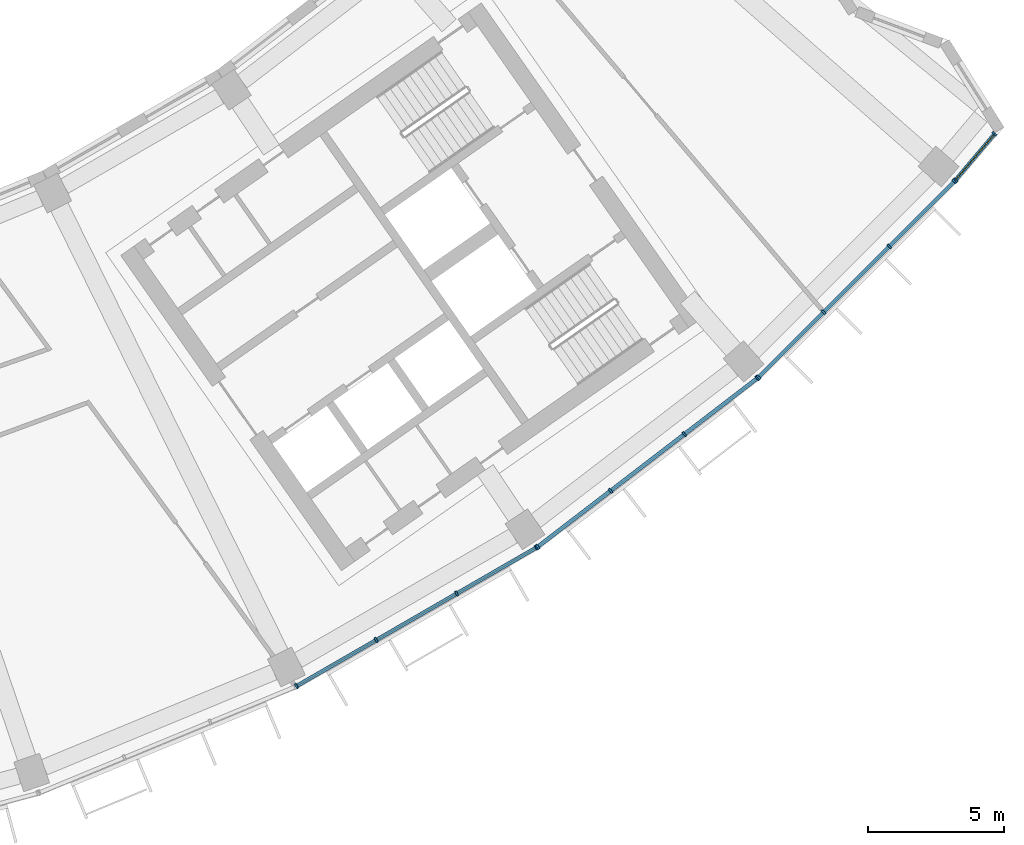
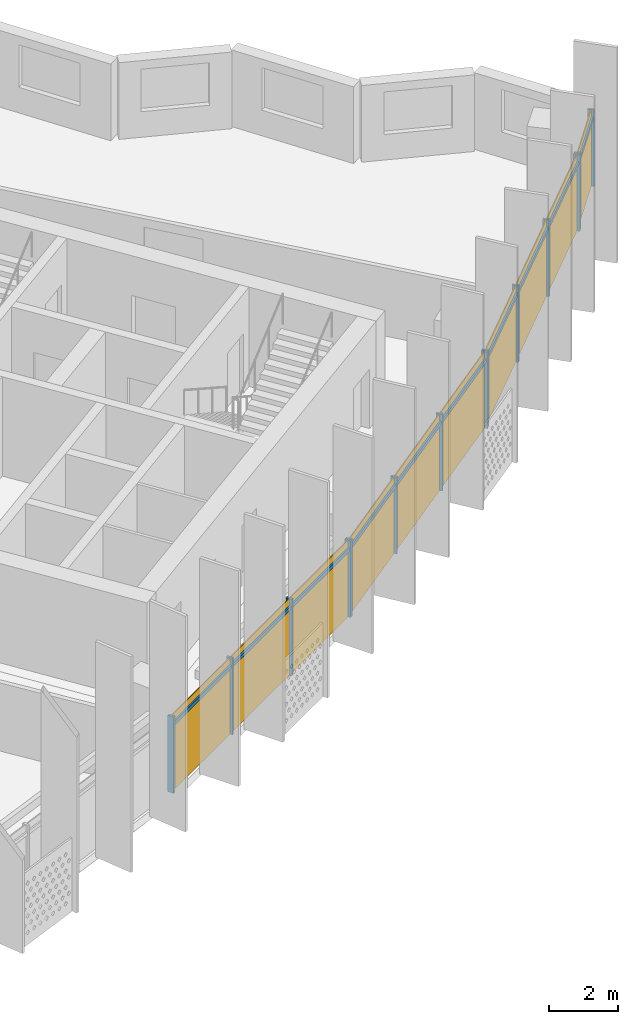
# One storey, part 21 of 28: 24 members, 4 curtain walls.
"""IFC4 building model written with IfcOpenShell, lengths in metres."""

from ifc_helpers import new_model, si_unit, direction, frame, origin, origin_2d, place, context, subcontext, project, spatial, rectangle, extrude, material, material_profile, profile_set, type_object, element, aggregate, save


model = new_model("IFC4")

# Units and contexts
model_context = context("Model", 3, precision=1e-05, world=origin(), true_north=direction((0.0, 1.0)))
body_context = subcontext(model_context, "Body", "Model", "MODEL_VIEW")
ifc_project = project(units=[si_unit("LENGTHUNIT", "METRE"), si_unit("AREAUNIT", "SQUARE_METRE"), si_unit("VOLUMEUNIT", "CUBIC_METRE"), si_unit("PLANEANGLEUNIT", "RADIAN"), si_unit("MASSUNIT", "GRAM", prefix="KILO")], contexts=[model_context])

# Member
ifc_material = material(Name="Aluminium 6063-T6 anodised", Category="aluminium")
ifc_material_profile_1 = material_profile(ifc_material, rectangle(XDim=0.199951171875, YDim=0.070068359375, at=origin_2d()))
ifc_profile_set_1 = profile_set([ifc_material_profile_1], Name="Aluminium 6063-T6 anodised")
member_type_1 = type_object("IfcMemberType", Name="Mullion 70 x 200 aluminium", PredefinedType="MULLION", material=ifc_profile_set_1)
site_placement = place(None, origin())
building_placement = place(site_placement, origin())
storey_placement = place(building_placement, frame((0.0, 0.0, 226.5)))
member_1_placement = place(storey_placement, frame((34.766357421875, -70.43505859375, 0.0), z_axis=(0.0, 0.0, 1.0), x_axis=(-0.5, 0.866025403784, 0.0)))
member_1 = element("IfcMember", 1, at=member_1_placement, type_object=member_type_1, Name="e-cw1-L54-out12/M00", PredefinedType="MULLION", context=body_context, shape_type="SweptSolid", body=[
    extrude(rectangle(XDim=0.199951171875, YDim=0.070068359375, at=origin_2d()), origin(), (0.0, 0.0, 1.0), 2.699951171875),
])

member_2_placement = place(storey_placement, frame((37.705810546875, -68.73779296875, 0.0), z_axis=(0.0, 0.0, 1.0), x_axis=(-0.5, 0.866025403784, 0.0)))
member_2 = element("IfcMember", 2, at=member_2_placement, type_object=member_type_1, Name="e-cw1-L54-out12/M01", PredefinedType="MULLION", context=body_context, shape_type="SweptSolid", body=[
    extrude(rectangle(XDim=0.199951171875, YDim=0.070068359375, at=origin_2d()), origin(), (0.0, 0.0, 1.0), 2.699951171875),
])

member_3_placement = place(storey_placement, frame((40.67578125, -67.023193359375, 0.0), z_axis=(0.0, 0.0, 1.0), x_axis=(-0.5, 0.866025403784, 0.0)))
member_3 = element("IfcMember", 3, at=member_3_placement, type_object=member_type_1, Name="e-cw1-L54-out12/M02", PredefinedType="MULLION", context=body_context, shape_type="SweptSolid", body=[
    extrude(rectangle(XDim=0.199951171875, YDim=0.070068359375, at=origin_2d()), origin(), (0.0, 0.0, 1.0), 2.699951171875),
])

member_4_placement = place(storey_placement, frame((43.615234375, -65.325927734375, 0.0), z_axis=(0.0, 0.0, 1.0), x_axis=(-0.5, 0.866025403784, 0.0)))
member_4 = element("IfcMember", 4, at=member_4_placement, type_object=member_type_1, Name="e-cw1-L54-out12/M03", PredefinedType="MULLION", context=body_context, shape_type="SweptSolid", body=[
    extrude(rectangle(XDim=0.199951171875, YDim=0.070068359375, at=origin_2d()), origin(), (0.0, 0.0, 1.0), 2.699951171875),
])

member_5_placement = place(storey_placement, frame((43.66259765625, -65.29443359375, 0.0), z_axis=(0.0, 0.0, 1.0), x_axis=(-0.608761429009, 0.793353340291, 0.0)))
member_5 = element("IfcMember", 5, at=member_5_placement, type_object=member_type_1, Name="e-cw1-L54-out13/M00", PredefinedType="MULLION", context=body_context, shape_type="SweptSolid", body=[
    extrude(rectangle(XDim=0.199951171875, YDim=0.070068359375, at=origin_2d()), origin(), (0.0, 0.0, 1.0), 2.699951171875),
])

member_6_placement = place(storey_placement, frame((46.35546875, -63.22802734375, 0.0), z_axis=(0.0, 0.0, 1.0), x_axis=(-0.608761429009, 0.793353340291, 0.0)))
member_6 = element("IfcMember", 6, at=member_6_placement, type_object=member_type_1, Name="e-cw1-L54-out13/M01", PredefinedType="MULLION", context=body_context, shape_type="SweptSolid", body=[
    extrude(rectangle(XDim=0.199951171875, YDim=0.070068359375, at=origin_2d()), origin(), (0.0, 0.0, 1.0), 2.699951171875),
])

member_7_placement = place(storey_placement, frame((49.075927734375, -61.140380859375, 0.0), z_axis=(0.0, 0.0, 1.0), x_axis=(-0.608761429009, 0.793353340291, 0.0)))
member_7 = element("IfcMember", 7, at=member_7_placement, type_object=member_type_1, Name="e-cw1-L54-out13/M02", PredefinedType="MULLION", context=body_context, shape_type="SweptSolid", body=[
    extrude(rectangle(XDim=0.199951171875, YDim=0.070068359375, at=origin_2d()), origin(), (0.0, 0.0, 1.0), 2.699951171875),
])

member_8_placement = place(storey_placement, frame((51.768798828125, -59.07421875, 0.0), z_axis=(0.0, 0.0, 1.0), x_axis=(-0.608761429009, 0.793353340291, 0.0)))
member_8 = element("IfcMember", 8, at=member_8_placement, type_object=member_type_1, Name="e-cw1-L54-out13/M03", PredefinedType="MULLION", context=body_context, shape_type="SweptSolid", body=[
    extrude(rectangle(XDim=0.199951171875, YDim=0.070068359375, at=origin_2d()), origin(), (0.0, 0.0, 1.0), 2.699951171875),
])

member_9_placement = place(storey_placement, frame((51.8115234375, -59.03662109375, 0.0), z_axis=(0.0, 0.0, 1.0), x_axis=(-0.707106781187, 0.707106781187, 0.0)))
member_9 = element("IfcMember", 9, at=member_9_placement, type_object=member_type_1, Name="e-cw1-L54-out14/M00", PredefinedType="MULLION", context=body_context, shape_type="SweptSolid", body=[
    extrude(rectangle(XDim=0.199951171875, YDim=0.070068359375, at=origin_2d()), origin(), (0.0, 0.0, 1.0), 2.699951171875),
])

member_10_placement = place(storey_placement, frame((54.211669921875, -56.63671875, 0.0), z_axis=(0.0, 0.0, 1.0), x_axis=(-0.707106781187, 0.707106781187, 0.0)))
member_10 = element("IfcMember", 10, at=member_10_placement, type_object=member_type_1, Name="e-cw1-L54-out14/M01", PredefinedType="MULLION", context=body_context, shape_type="SweptSolid", body=[
    extrude(rectangle(XDim=0.199951171875, YDim=0.070068359375, at=origin_2d()), origin(), (0.0, 0.0, 1.0), 2.699951171875),
])

member_11_placement = place(storey_placement, frame((56.63671875, -54.211669921875, 0.0), z_axis=(0.0, 0.0, 1.0), x_axis=(-0.707106781187, 0.707106781187, 0.0)))
member_11 = element("IfcMember", 11, at=member_11_placement, type_object=member_type_1, Name="e-cw1-L54-out14/M02", PredefinedType="MULLION", context=body_context, shape_type="SweptSolid", body=[
    extrude(rectangle(XDim=0.199951171875, YDim=0.070068359375, at=origin_2d()), origin(), (0.0, 0.0, 1.0), 2.699951171875),
])

member_12_placement = place(storey_placement, frame((59.03662109375, -51.8115234375, 0.0), z_axis=(0.0, 0.0, 1.0), x_axis=(-0.707106781187, 0.707106781187, 0.0)))
member_12 = element("IfcMember", 12, at=member_12_placement, type_object=member_type_1, Name="e-cw1-L54-out14/M03", PredefinedType="MULLION", context=body_context, shape_type="SweptSolid", body=[
    extrude(rectangle(XDim=0.199951171875, YDim=0.070068359375, at=origin_2d()), origin(), (0.0, 0.0, 1.0), 2.699951171875),
])

member_13_placement = place(storey_placement, frame((59.07861328125, -51.76611328125, 0.0), z_axis=(0.0, 0.0, 1.0), x_axis=(-0.762997443444, 0.646401501621, 0.0)))
member_13 = element("IfcMember", 13, at=member_13_placement, type_object=member_type_1, Name="e-cw1-L54-out15/M00", PredefinedType="MULLION", context=body_context, shape_type="SweptSolid", body=[
    extrude(rectangle(XDim=0.199951171875, YDim=0.070068359375, at=origin_2d()), origin(), (0.0, 0.0, 1.0), 2.699951171875),
])

member_14_placement = place(storey_placement, frame((60.52197265625, -50.0625, 0.0), z_axis=(0.0, 0.0, 1.0), x_axis=(-0.762997443444, 0.646401501621, 0.0)))
member_14 = element("IfcMember", 14, at=member_14_placement, type_object=member_type_1, Name="e-cw1-L54-out15/M01", PredefinedType="MULLION", context=body_context, shape_type="SweptSolid", body=[
    extrude(rectangle(XDim=0.199951171875, YDim=0.070068359375, at=origin_2d()), origin(), (0.0, 0.0, 1.0), 2.699951171875),
])

ifc_material_profile_2 = material_profile(ifc_material, rectangle(XDim=0.139892578125, YDim=0.1201171875, at=origin_2d()))
ifc_profile_set_2 = profile_set([ifc_material_profile_2], Name="Aluminium 6063-T6 anodised")
member_type_2 = type_object("IfcMemberType", Name="Transom 120 x 140 aluminium", PredefinedType="USERDEFINED", material=ifc_profile_set_2)
member_15_placement = place(storey_placement, frame((34.796630859375, -70.41748046875, 2.39990234375), z_axis=(0.866029041019, 0.499993700073, 0.0), x_axis=(-0.499993700073, 0.866029041019, 0.0)))
member_15 = element("IfcMember", 15, at=member_15_placement, type_object=member_type_2, Name="e-cw1-L54-out12/T00", ObjectType="TRANSOM", PredefinedType="USERDEFINED", context=body_context, shape_type="SweptSolid", body=[
    extrude(rectangle(XDim=0.139892578125, YDim=0.1201171875, at=origin_2d()), origin(), (0.0, 0.0, 1.0), 3.32421875),
])

member_16_placement = place(storey_placement, frame((37.736083984375, -68.72021484375, 2.39990234375), z_axis=(0.866034314054, 0.499984566643, 0.0), x_axis=(-0.499984566643, 0.866034314054, 0.0)))
member_16 = element("IfcMember", 16, at=member_16_placement, type_object=member_type_2, Name="e-cw1-L54-out12/T01", ObjectType="TRANSOM", PredefinedType="USERDEFINED", context=body_context, shape_type="SweptSolid", body=[
    extrude(rectangle(XDim=0.139892578125, YDim=0.1201171875, at=origin_2d()), origin(), (0.0, 0.0, 1.0), 3.359375),
])

member_17_placement = place(storey_placement, frame((40.7060546875, -67.005615234375, 2.39990234375), z_axis=(0.866029041019, 0.499993700073, 0.0), x_axis=(-0.499993700073, 0.866029041019, 0.0)))
member_17 = element("IfcMember", 17, at=member_17_placement, type_object=member_type_2, Name="e-cw1-L54-out12/T02", ObjectType="TRANSOM", PredefinedType="USERDEFINED", context=body_context, shape_type="SweptSolid", body=[
    extrude(rectangle(XDim=0.139892578125, YDim=0.1201171875, at=origin_2d()), origin(), (0.0, 0.0, 1.0), 3.32421875),
])

member_18_placement = place(storey_placement, frame((43.690185546875, -65.273193359375, 2.39990234375), z_axis=(0.793368713958, 0.608741393132, 0.0), x_axis=(-0.608741393132, 0.793368713958, 0.0)))
member_18 = element("IfcMember", 18, at=member_18_placement, type_object=member_type_2, Name="e-cw1-L54-out13/T00", ObjectType="TRANSOM", PredefinedType="USERDEFINED", context=body_context, shape_type="SweptSolid", body=[
    extrude(rectangle(XDim=0.139892578125, YDim=0.1201171875, at=origin_2d()), origin(), (0.0, 0.0, 1.0), 3.324462890625),
])

member_19_placement = place(storey_placement, frame((46.383056640625, -63.206787109375, 2.39990234375), z_axis=(0.793385234627, 0.608719861247, 0.0), x_axis=(-0.608719861247, 0.793385234627, 0.0)))
member_19 = element("IfcMember", 19, at=member_19_placement, type_object=member_type_2, Name="e-cw1-L54-out13/T01", ObjectType="TRANSOM", PredefinedType="USERDEFINED", context=body_context, shape_type="SweptSolid", body=[
    extrude(rectangle(XDim=0.139892578125, YDim=0.1201171875, at=origin_2d()), origin(), (0.0, 0.0, 1.0), 3.359375),
])

member_20_placement = place(storey_placement, frame((49.103759765625, -61.119140625, 2.39990234375), z_axis=(0.793368713958, 0.608741393132, 0.0), x_axis=(-0.608741393132, 0.793368713958, 0.0)))
member_20 = element("IfcMember", 20, at=member_20_placement, type_object=member_type_2, Name="e-cw1-L54-out13/T02", ObjectType="TRANSOM", PredefinedType="USERDEFINED", context=body_context, shape_type="SweptSolid", body=[
    extrude(rectangle(XDim=0.139892578125, YDim=0.1201171875, at=origin_2d()), origin(), (0.0, 0.0, 1.0), 3.324462890625),
])

member_21_placement = place(storey_placement, frame((51.83642578125, -59.011962890625, 2.39990234375), z_axis=(0.707106781187, 0.707106781187, 0.0), x_axis=(-0.707106781187, 0.707106781187, 0.0)))
member_21 = element("IfcMember", 21, at=member_21_placement, type_object=member_type_2, Name="e-cw1-L54-out14/T00", ObjectType="TRANSOM", PredefinedType="USERDEFINED", context=body_context, shape_type="SweptSolid", body=[
    extrude(rectangle(XDim=0.139892578125, YDim=0.1201171875, at=origin_2d()), origin(), (0.0, 0.0, 1.0), 3.32421875),
])

member_22_placement = place(storey_placement, frame((54.236572265625, -56.61181640625, 2.39990234375), z_axis=(0.707106781187, 0.707106781187, 0.0), x_axis=(-0.707106781187, 0.707106781187, 0.0)))
member_22 = element("IfcMember", 22, at=member_22_placement, type_object=member_type_2, Name="e-cw1-L54-out14/T01", ObjectType="TRANSOM", PredefinedType="USERDEFINED", context=body_context, shape_type="SweptSolid", body=[
    extrude(rectangle(XDim=0.139892578125, YDim=0.1201171875, at=origin_2d()), origin(), (0.0, 0.0, 1.0), 3.359130859375),
])

member_23_placement = place(storey_placement, frame((56.661376953125, -54.18701171875, 2.39990234375), z_axis=(0.707106781187, 0.707106781187, 0.0), x_axis=(-0.707106781187, 0.707106781187, 0.0)))
member_23 = element("IfcMember", 23, at=member_23_placement, type_object=member_type_2, Name="e-cw1-L54-out14/T02", ObjectType="TRANSOM", PredefinedType="USERDEFINED", context=body_context, shape_type="SweptSolid", body=[
    extrude(rectangle(XDim=0.139892578125, YDim=0.1201171875, at=origin_2d()), origin(), (0.0, 0.0, 1.0), 3.32421875),
])

member_24_placement = place(storey_placement, frame((59.10107421875, -51.739501953125, 2.39990234375), z_axis=(0.646402552931, 0.762996552787, 0.0), x_axis=(-0.762996552787, 0.646402552931, 0.0)))
member_24 = element("IfcMember", 24, at=member_24_placement, type_object=member_type_2, Name="e-cw1-L54-out15/T00", ObjectType="TRANSOM", PredefinedType="USERDEFINED", context=body_context, shape_type="SweptSolid", body=[
    extrude(rectangle(XDim=0.139892578125, YDim=0.1201171875, at=origin_2d()), origin(), (0.0, 0.0, 1.0), 2.1630859375),
])

# Site, building, storey
site = spatial("IfcSite", under=ifc_project, at=site_placement, CompositionType="ELEMENT")
building = spatial("IfcBuilding", under=site, at=building_placement, Name="Qamariyya Broadcast Tower", CompositionType="ELEMENT")
storey = spatial("IfcBuildingStorey", under=building, at=storey_placement, Name="L54", CompositionType="ELEMENT", Elevation=226.5)

# Curtain wall
curtain_wall_type = type_object("IfcCurtainWallType", Name="Unitised curtain wall, anodised aluminium", PredefinedType="NOTDEFINED", material=ifc_material)
curtain_wall_1_placement = place(storey_placement, origin())
curtain_wall_1 = element("IfcCurtainWall", 25, at=curtain_wall_1_placement, inside=storey, type_object=curtain_wall_type, Name="e-cw1-L54-out12", PredefinedType="NOTDEFINED", context=body_context, shape_type="SweptSolid", body=[
    extrude(rectangle(XDim=3.32421875, YDim=0.031982421875, at=origin_2d()), frame((36.236083984375, -69.58642578125, 0.0), x_axis=(0.866027904674, 0.499995668308, 0.0)), (0.0, 0.0, 1.0), 2.340087890625),
    extrude(rectangle(XDim=3.32421875, YDim=0.031982421875, at=origin_2d()), frame((36.236083984375, -69.58642578125, 2.4599609375), x_axis=(0.866027904674, 0.499995668308, 0.0)), (0.0, 0.0, 1.0), 0.239990234375),
    extrude(rectangle(XDim=3.359130859375, YDim=0.031982421875, at=origin_2d()), frame((39.19091796875, -67.88037109375, 0.0), x_axis=(0.866027904674, 0.499995668308, 0.0)), (0.0, 0.0, 1.0), 2.340087890625),
    extrude(rectangle(XDim=3.359130859375, YDim=0.031982421875, at=origin_2d()), frame((39.19091796875, -67.88037109375, 2.4599609375), x_axis=(0.866027904674, 0.499995668308, 0.0)), (0.0, 0.0, 1.0), 0.239990234375),
    extrude(rectangle(XDim=3.32421875, YDim=0.031982421875, at=origin_2d()), frame((42.1455078125, -66.174560546875, 0.0), x_axis=(0.866027904674, 0.499995668308, 0.0)), (0.0, 0.0, 1.0), 2.340087890625),
    extrude(rectangle(XDim=3.32421875, YDim=0.031982421875, at=origin_2d()), frame((42.1455078125, -66.174560546875, 2.4599609375), x_axis=(0.866027904674, 0.499995668308, 0.0)), (0.0, 0.0, 1.0), 0.239990234375),
])

aggregate(curtain_wall_1, [member_1, member_2, member_3, member_4, member_15, member_16, member_17])

curtain_wall_2_placement = place(storey_placement, origin())
curtain_wall_2 = element("IfcCurtainWall", 26, at=curtain_wall_2_placement, inside=storey, type_object=curtain_wall_type, Name="e-cw1-L54-out13", PredefinedType="NOTDEFINED", context=body_context, shape_type="SweptSolid", body=[
    extrude(rectangle(XDim=3.32421875, YDim=0.031982421875, at=origin_2d()), frame((45.009033203125, -64.26123046875, 0.0), x_axis=(0.793359168734, 0.608753833159, 0.0)), (0.0, 0.0, 1.0), 2.340087890625),
    extrude(rectangle(XDim=3.32421875, YDim=0.031982421875, at=origin_2d()), frame((45.009033203125, -64.26123046875, 2.4599609375), x_axis=(0.793359168734, 0.608753833159, 0.0)), (0.0, 0.0, 1.0), 0.239990234375),
    extrude(rectangle(XDim=3.359130859375, YDim=0.031982421875, at=origin_2d()), frame((47.7158203125, -62.184326171875, 0.0), x_axis=(0.793359168734, 0.608753833159, 0.0)), (0.0, 0.0, 1.0), 2.340087890625),
    extrude(rectangle(XDim=3.359130859375, YDim=0.031982421875, at=origin_2d()), frame((47.7158203125, -62.184326171875, 2.4599609375), x_axis=(0.793359168734, 0.608753833159, 0.0)), (0.0, 0.0, 1.0), 0.239990234375),
    extrude(rectangle(XDim=3.32421875, YDim=0.031982421875, at=origin_2d()), frame((50.42236328125, -60.107421875, 0.0), x_axis=(0.793359168734, 0.608753833159, 0.0)), (0.0, 0.0, 1.0), 2.340087890625),
    extrude(rectangle(XDim=3.32421875, YDim=0.031982421875, at=origin_2d()), frame((50.42236328125, -60.107421875, 2.4599609375), x_axis=(0.793359168734, 0.608753833159, 0.0)), (0.0, 0.0, 1.0), 0.239990234375),
])

aggregate(curtain_wall_2, [member_5, member_6, member_7, member_8, member_18, member_19, member_20])

curtain_wall_3_placement = place(storey_placement, origin())
curtain_wall_3 = element("IfcCurtainWall", 27, at=curtain_wall_3_placement, inside=storey, type_object=curtain_wall_type, Name="e-cw1-L54-out14", PredefinedType="NOTDEFINED", context=body_context, shape_type="SweptSolid", body=[
    extrude(rectangle(XDim=3.32421875, YDim=0.031982421875, at=origin_2d()), frame((53.01171875, -57.836669921875, 0.0), x_axis=(0.707106781187, 0.707106781187, 0.0)), (0.0, 0.0, 1.0), 2.340087890625),
    extrude(rectangle(XDim=3.32421875, YDim=0.031982421875, at=origin_2d()), frame((53.01171875, -57.836669921875, 2.4599609375), x_axis=(0.707106781187, 0.707106781187, 0.0)), (0.0, 0.0, 1.0), 0.239990234375),
    extrude(rectangle(XDim=3.359375, YDim=0.031982421875, at=origin_2d()), frame((55.42431640625, -55.42431640625, 0.0), x_axis=(0.707106781187, 0.707106781187, 0.0)), (0.0, 0.0, 1.0), 2.340087890625),
    extrude(rectangle(XDim=3.359375, YDim=0.031982421875, at=origin_2d()), frame((55.42431640625, -55.42431640625, 2.4599609375), x_axis=(0.707106781187, 0.707106781187, 0.0)), (0.0, 0.0, 1.0), 0.239990234375),
    extrude(rectangle(XDim=3.32421875, YDim=0.031982421875, at=origin_2d()), frame((57.836669921875, -53.01171875, 0.0), x_axis=(0.707106781187, 0.707106781187, 0.0)), (0.0, 0.0, 1.0), 2.340087890625),
    extrude(rectangle(XDim=3.32421875, YDim=0.031982421875, at=origin_2d()), frame((57.836669921875, -53.01171875, 2.4599609375), x_axis=(0.707106781187, 0.707106781187, 0.0)), (0.0, 0.0, 1.0), 0.239990234375),
])

aggregate(curtain_wall_3, [member_9, member_10, member_11, member_12, member_21, member_22, member_23])

curtain_wall_4_placement = place(storey_placement, origin())
curtain_wall_4 = element("IfcCurtainWall", 28, at=curtain_wall_4_placement, inside=storey, type_object=curtain_wall_type, Name="e-cw1-L54-out15", PredefinedType="NOTDEFINED", context=body_context, shape_type="SweptSolid", body=[
    extrude(rectangle(XDim=2.1630859375, YDim=0.031982421875, at=origin_2d()), frame((59.80029296875, -50.914306640625, 0.0), x_axis=(0.646398298924, 0.763000156716, 0.0)), (0.0, 0.0, 1.0), 2.340087890625),
    extrude(rectangle(XDim=2.1630859375, YDim=0.031982421875, at=origin_2d()), frame((59.80029296875, -50.914306640625, 2.4599609375), x_axis=(0.646398298924, 0.763000156716, 0.0)), (0.0, 0.0, 1.0), 0.239990234375),
])

aggregate(curtain_wall_4, [member_13, member_14, member_24])

save(model, "model.ifc")
